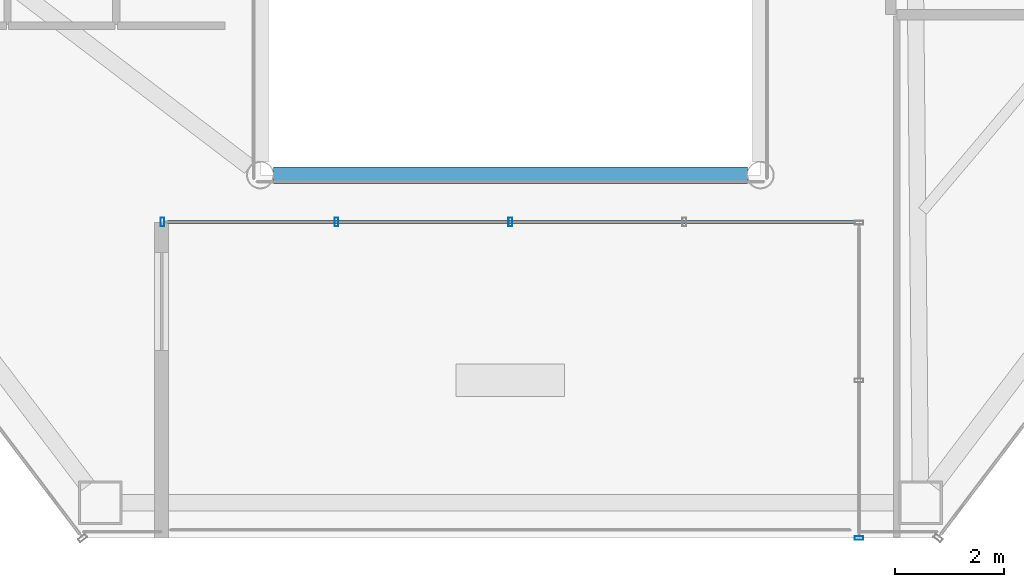
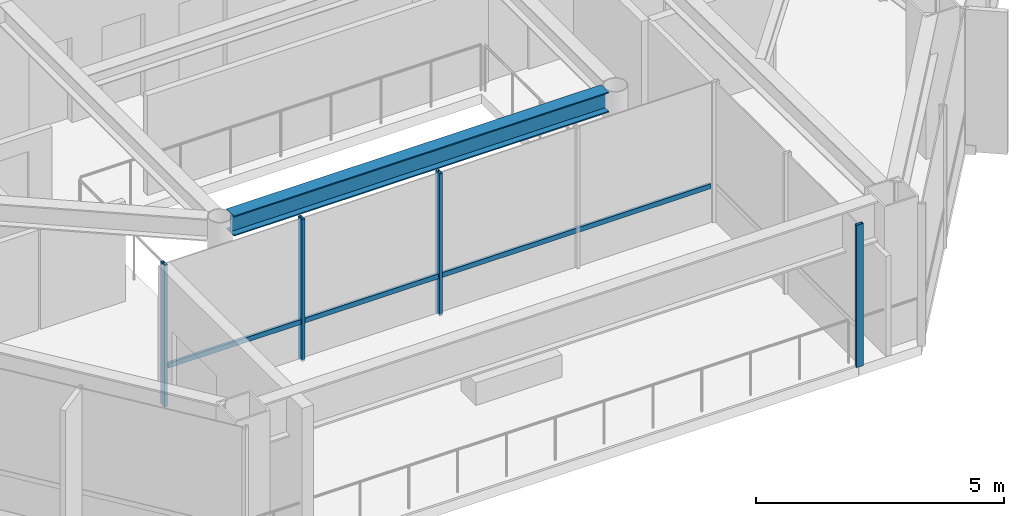
# One storey, part 6 of 28: 5 members, 1 beam, 2 elements without a shape of their own.
"""IFC4 building model written with IfcOpenShell, lengths in metres."""

from ifc_helpers import new_model, si_unit, direction, frame, origin, origin_2d, place, context, subcontext, project, spatial, hollow_rectangle, i_section, extrude, material, layer, layer_set, material_profile, profile_set, type_object, element, aggregate, save


model = new_model("IFC4")

# Units and contexts
model_context = context("Model", 3, precision=1e-05, world=origin(), true_north=direction((0.0, 1.0)))
body_context = subcontext(model_context, "Body", "Model", "MODEL_VIEW")
ifc_project = project(units=[si_unit("LENGTHUNIT", "METRE"), si_unit("AREAUNIT", "SQUARE_METRE"), si_unit("VOLUMEUNIT", "CUBIC_METRE"), si_unit("PLANEANGLEUNIT", "RADIAN"), si_unit("MASSUNIT", "GRAM", prefix="KILO")], contexts=[model_context])

# Site, building, storey
site_placement = place(None, origin())
site = spatial("IfcSite", under=ifc_project, at=site_placement, CompositionType="ELEMENT")
building_placement = place(site_placement, origin())
building = spatial("IfcBuilding", under=site, at=building_placement, Name="Zarrinselat Tower", CompositionType="ELEMENT")
storey_placement = place(building_placement, frame((0.0, 0.0, 157.080078125)))
storey = spatial("IfcBuildingStorey", under=building, at=storey_placement, Name="L38", CompositionType="ELEMENT", Elevation=157.080078125)

# Beam
ifc_material_1 = material(Name="Steel S355J2", Category="steel")
ifc_material_profile_1 = material_profile(ifc_material_1, i_section(OverallWidth=0.300048828125, OverallDepth=0.5, WebThickness=0.014404296875, FlangeThickness=0.028076171875, at=origin_2d()), Name="HEB 500")
ifc_profile_set_1 = profile_set([ifc_material_profile_1], Name="Steel S355J2")
beam_type = type_object("IfcBeamType", Name="BM-HEB500", PredefinedType="BEAM", material=ifc_profile_set_1)
beam_placement = place(storey_placement, frame((34.0400390625, 24.39990234375, 3.25), z_axis=(1.0, 0.0, 0.0), x_axis=(0.0, 1.0, 0.0)))
element("IfcBeam", 1, at=beam_placement, inside=storey, type_object=beam_type, Name="L38 Atrium Edge Beam S", PredefinedType="BEAM", context=body_context, shape_type="SweptSolid", body=[
    extrude(i_section(OverallWidth=0.300048828125, OverallDepth=0.5, WebThickness=0.014404296875, FlangeThickness=0.028076171875, at=origin_2d()), origin(), (0.0, 0.0, 1.0), 8.719970703125),
])

# Curtain wall, member
ifc_material_2 = material(Name="Extruded Aluminium Alloy EN AW-6063 T6", Category="aluminium")
ifc_layer = layer(ifc_material_2, 0.18994140625)
ifc_layer_set = layer_set([ifc_layer], Name="Extruded Aluminium Alloy EN AW-6063 T6")
curtain_wall_type = type_object("IfcCurtainWallType", Name="CWS-SG", PredefinedType="NOTDEFINED", material=ifc_layer_set)
curtain_wall_1_placement = place(storey_placement, origin())
curtain_wall_1 = element("IfcCurtainWall", 2, at=curtain_wall_1_placement, inside=storey, type_object=curtain_wall_type, Name="L38 Unitised Curtain Wall CW-L38-E07", PredefinedType="NOTDEFINED")
ifc_material_3 = material(Name="Extruded Aluminium Alloy EN AW-6063 T6", Category="aluminium")
ifc_material_profile_2 = material_profile(ifc_material_3, hollow_rectangle(XDim=0.070068359375, YDim=0.159912109375, WallThickness=0.00390625, at=origin_2d()), Name="RHS 160x70x4")
ifc_profile_set_2 = profile_set([ifc_material_profile_2], Name="Extruded Aluminium Alloy EN AW-6063 T6")
member_type_1 = type_object("IfcMemberType", Name="MEM-CW-MUL2", PredefinedType="MULLION", material=ifc_profile_set_2)
member_1_placement = place(storey_placement, frame((44.81494140625, 17.723388671875, 0.0), z_axis=(0.0, 0.0, 1.0), x_axis=(0.0, 1.0, 0.0)))
member_1 = element("IfcMember", 3, at=member_1_placement, type_object=member_type_1, Name="CW-L38-E07 Mullion 0", PredefinedType="MULLION", context=body_context, shape_type="SweptSolid", body=[
    extrude(hollow_rectangle(XDim=0.070068359375, YDim=0.159912109375, WallThickness=0.00390625, at=origin_2d()), origin(), (0.0, 0.0, 1.0), 3.5),
])
aggregate(curtain_wall_1, [member_1])

# Curtain wall, members
curtain_wall_2_placement = place(storey_placement, origin())
curtain_wall_2 = element("IfcCurtainWall", 4, at=curtain_wall_2_placement, inside=storey, type_object=curtain_wall_type, Name="L38 Unitised Curtain Wall CW-L38-E24", PredefinedType="NOTDEFINED")
member_2_placement = place(storey_placement, frame((38.39990234375, 23.538330078125, 0.0), z_axis=(0.0, 0.0, 1.0), x_axis=(-1.0, 0.0, 0.0)))
member_2 = element("IfcMember", 5, at=member_2_placement, type_object=member_type_1, Name="CW-L38-E24 Mullion 2", PredefinedType="MULLION", context=body_context, shape_type="SweptSolid", body=[
    extrude(hollow_rectangle(XDim=0.070068359375, YDim=0.159912109375, WallThickness=0.00390625, at=origin_2d()), origin(), (0.0, 0.0, 1.0), 3.5),
])
member_3_placement = place(storey_placement, frame((35.199951171875, 23.538330078125, 0.0), z_axis=(0.0, 0.0, 1.0), x_axis=(-1.0, 0.0, 0.0)))
member_3 = element("IfcMember", 6, at=member_3_placement, type_object=member_type_1, Name="CW-L38-E24 Mullion 3", PredefinedType="MULLION", context=body_context, shape_type="SweptSolid", body=[
    extrude(hollow_rectangle(XDim=0.070068359375, YDim=0.159912109375, WallThickness=0.00390625, at=origin_2d()), origin(), (0.0, 0.0, 1.0), 3.5),
])
member_4_placement = place(storey_placement, frame((32.0, 23.538330078125, 0.0), z_axis=(0.0, 0.0, 1.0), x_axis=(-1.0, 0.0, 0.0)))
member_4 = element("IfcMember", 7, at=member_4_placement, type_object=member_type_1, Name="CW-L38-E24 Mullion 4", PredefinedType="MULLION", context=body_context, shape_type="SweptSolid", body=[
    extrude(hollow_rectangle(XDim=0.070068359375, YDim=0.159912109375, WallThickness=0.00390625, at=origin_2d()), origin(), (0.0, 0.0, 1.0), 3.5),
])
ifc_material_4 = material(Name="Extruded Aluminium Alloy EN AW-6063 T6", Category="aluminium")
ifc_material_profile_3 = material_profile(ifc_material_4, hollow_rectangle(XDim=0.06005859375, YDim=0.1201171875, WallThickness=0.00390625, at=origin_2d()), Name="RHS 120x60x4")
ifc_profile_set_3 = profile_set([ifc_material_profile_3], Name="Extruded Aluminium Alloy EN AW-6063 T6")
member_type_2 = type_object("IfcMemberType", Name="MEM-CW-TRN2", PredefinedType="USERDEFINED", material=ifc_profile_set_3)
member_5_placement = place(storey_placement, frame((44.7099609375, 23.538330078125, 0.949951171875), z_axis=(-1.0, 0.0, 0.0), x_axis=(0.0, -1.0, 0.0)))
member_5 = element("IfcMember", 8, at=member_5_placement, type_object=member_type_2, Name="CW-L38-E24 Transom 1", ObjectType="TRANSOM", PredefinedType="USERDEFINED", context=body_context, shape_type="SweptSolid", body=[
    extrude(hollow_rectangle(XDim=0.06005859375, YDim=0.1201171875, WallThickness=0.00390625, at=origin_2d()), origin(), (0.0, 0.0, 1.0), 12.619873046875),
])
aggregate(curtain_wall_2, [member_2, member_3, member_4, member_5])

save(model, "model.ifc")
